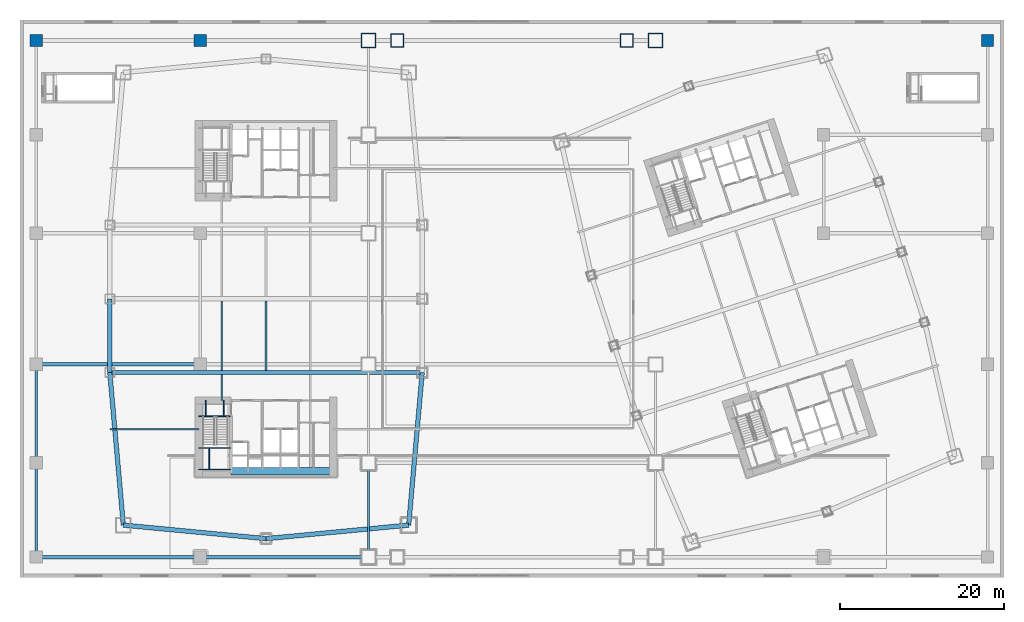
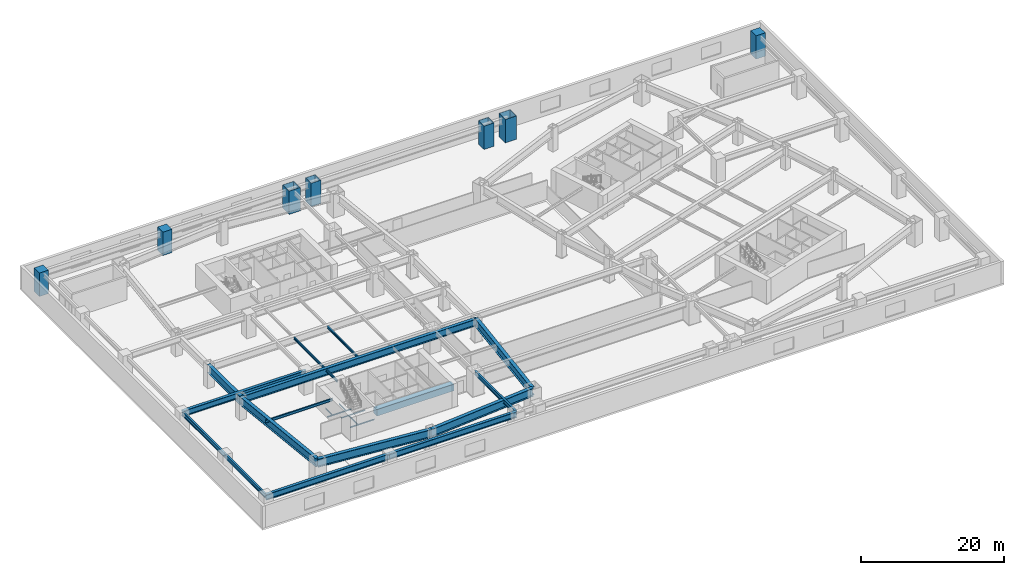
# One storey, part 3 of 25: 23 beams, 7 columns.
"""IFC4 building model written with IfcOpenShell, lengths in metres."""

from ifc_helpers import new_model, si_unit, direction, frame, origin, origin_2d, place, context, subcontext, project, spatial, rectangle, hollow_rectangle, i_section, extrude, material, material_profile, profile_set, type_object, element, save


model = new_model("IFC4")

# Units and contexts
model_context = context("Model", 3, precision=1e-05, world=origin(), true_north=direction((0.0, 1.0)))
body_context = subcontext(model_context, "Body", "Model", "MODEL_VIEW")
ifc_project = project(units=[si_unit("LENGTHUNIT", "METRE"), si_unit("AREAUNIT", "SQUARE_METRE"), si_unit("VOLUMEUNIT", "CUBIC_METRE"), si_unit("PLANEANGLEUNIT", "RADIAN"), si_unit("MASSUNIT", "GRAM", prefix="KILO")], contexts=[model_context])

# Site, building, storey
site_placement = place(None, origin())
site = spatial("IfcSite", under=ifc_project, at=site_placement, CompositionType="ELEMENT")
building_placement = place(site_placement, origin())
building = spatial("IfcBuilding", under=site, at=building_placement, Name="Qiaolan Cultural Towers", CompositionType="ELEMENT")
storey_placement = place(building_placement, frame((0.0, 0.0, 22.0)))
storey = spatial("IfcBuildingStorey", under=building, at=storey_placement, Name="L04", CompositionType="ELEMENT", Elevation=22.0)

# Columns
ifc_material_1 = material(Name="Steel Q420GJB", Category="steel")
ifc_material_profile_1 = material_profile(ifc_material_1, hollow_rectangle(XDim=1.60009765625, YDim=1.60009765625, WallThickness=0.054931640625, at=origin_2d()), Name="BOX1600x1600x55")
ifc_profile_set_1 = profile_set([ifc_material_profile_1], Name="Steel Q420GJB")
column_type_1 = type_object("IfcColumnType", Name="COL-BOX1600x1600x55", PredefinedType="COLUMN", material=ifc_profile_set_1)
for number, where, z_axis, x_axis, name in (
    (1, (46.0, 65.5, 0.0), (0.0, 0.0, 1.0), (1.0, 0.0, 0.0), "L04 Podium Column PC-MID-46-65"),
    (2, (74.0, 65.5, 0.0), (0.0, 0.0, 1.0), (1.0, 0.0, 0.0), "L04 Podium Column PC-MID-74-65"),
):
    element("IfcColumn", number, at=place(storey_placement, frame(where, z_axis=z_axis, x_axis=x_axis)), inside=storey, type_object=column_type_1, Name=name, PredefinedType="COLUMN", context=body_context, shape_type="SweptSolid", body=[
        extrude(hollow_rectangle(XDim=1.60009765625, YDim=1.60009765625, WallThickness=0.054931640625, at=origin_2d()), origin(), (0.0, 0.0, 1.0), 4.0009765625),
    ])
ifc_material_2 = material(Name="Steel Q420GJB", Category="steel")
ifc_material_profile_2 = material_profile(ifc_material_2, hollow_rectangle(XDim=1.800048828125, YDim=1.800048828125, WallThickness=0.06005859375, at=origin_2d()), Name="BOX1800x1800x60")
ifc_profile_set_2 = profile_set([ifc_material_profile_2], Name="Steel Q420GJB")
column_type_2 = type_object("IfcColumnType", Name="COL-BOX1800x1800x60", PredefinedType="COLUMN", material=ifc_profile_set_2)
for number, where, z_axis, x_axis, name in (
    (3, (42.5, 65.5, 0.0), (0.0, 0.0, 1.0), (1.0, 0.0, 0.0), "L04 Podium Column PC-42-65"),
    (4, (77.5, 65.5, 0.0), (0.0, 0.0, 1.0), (1.0, 0.0, 0.0), "L04 Podium Column PC-77-65"),
):
    element("IfcColumn", number, at=place(storey_placement, frame(where, z_axis=z_axis, x_axis=x_axis)), inside=storey, type_object=column_type_2, Name=name, PredefinedType="COLUMN", context=body_context, shape_type="SweptSolid", body=[
        extrude(hollow_rectangle(XDim=1.800048828125, YDim=1.800048828125, WallThickness=0.06005859375, at=origin_2d()), origin(), (0.0, 0.0, 1.0), 4.0009765625),
    ])
ifc_material_3 = material(Name="Concrete C60", Category="concrete")
ifc_material_profile_3 = material_profile(ifc_material_3, rectangle(XDim=1.5, YDim=1.5, at=origin_2d()), Name="RC1500x1500")
ifc_profile_set_3 = profile_set([ifc_material_profile_3], Name="Concrete C60")
column_type_3 = type_object("IfcColumnType", Name="COL-RC1500x1500", PredefinedType="COLUMN", material=ifc_profile_set_3)
for number, where, z_axis, x_axis, name in (
    (5, (2.0, 65.5, 0.0), (0.0, 0.0, 1.0), (1.0, 0.0, 0.0), "L04 Podium Column PC-2-65"),
    (6, (22.0, 65.5, 0.0), (0.0, 0.0, 1.0), (1.0, 0.0, 0.0), "L04 Podium Column PC-22-65"),
    (7, (118.0, 65.5, 0.0), (0.0, 0.0, 1.0), (1.0, 0.0, 0.0), "L04 Podium Column PC-118-65"),
):
    element("IfcColumn", number, at=place(storey_placement, frame(where, z_axis=z_axis, x_axis=x_axis)), inside=storey, type_object=column_type_3, Name=name, PredefinedType="COLUMN", context=body_context, shape_type="SweptSolid", body=[
        extrude(rectangle(XDim=1.5, YDim=1.5, at=origin_2d()), origin(), (0.0, 0.0, 1.0), 4.0009765625),
    ])

# Beams
ifc_material_4 = material(Name="Steel Q390GJB", Category="steel")
ifc_material_profile_4 = material_profile(ifc_material_4, i_section(OverallWidth=0.449951171875, OverallDepth=1.0, WebThickness=0.02392578125, FlangeThickness=0.0400390625, at=origin_2d()), Name="BH1000x450x24x40")
ifc_profile_set_4 = profile_set([ifc_material_profile_4], Name="Steel Q390GJB")
beam_type_1 = type_object("IfcBeamType", Name="BM-BH1000x450x24x40", PredefinedType="BEAM", material=ifc_profile_set_4)
beam_1_placement = place(storey_placement, frame((2.0, 2.5, 3.25), z_axis=(1.0, 0.0, 0.0), x_axis=(0.0, 1.0, 0.0)))
element("IfcBeam", 8, at=beam_1_placement, inside=storey, type_object=beam_type_1, Name="L04 Podium Primary Girder Y=2.5", PredefinedType="BEAM", context=body_context, shape_type="SweptSolid", body=[
    extrude(i_section(OverallWidth=0.449951171875, OverallDepth=1.0, WebThickness=0.02392578125, FlangeThickness=0.0400390625, at=origin_2d()), origin(), (0.0, 0.0, 1.0), 20.0),
])
beam_2_placement = place(storey_placement, frame((22.0, 2.5, 3.25), z_axis=(1.0, 0.0, 0.0), x_axis=(0.0, 1.0, 0.0)))
element("IfcBeam", 9, at=beam_2_placement, inside=storey, type_object=beam_type_1, Name="L04 Podium Primary Girder Y=2.5", PredefinedType="BEAM", context=body_context, shape_type="SweptSolid", body=[
    extrude(i_section(OverallWidth=0.449951171875, OverallDepth=1.0, WebThickness=0.02392578125, FlangeThickness=0.0400390625, at=origin_2d()), origin(), (0.0, 0.0, 1.0), 20.5),
])
beam_3_placement = place(storey_placement, frame((2.0, 26.0, 3.25), z_axis=(1.0, 0.0, 0.0), x_axis=(0.0, 1.0, 0.0)))
element("IfcBeam", 10, at=beam_3_placement, inside=storey, type_object=beam_type_1, Name="L04 Podium Primary Girder Y=26.0", PredefinedType="BEAM", context=body_context, shape_type="SweptSolid", body=[
    extrude(i_section(OverallWidth=0.449951171875, OverallDepth=1.0, WebThickness=0.02392578125, FlangeThickness=0.0400390625, at=origin_2d()), origin(), (0.0, 0.0, 1.0), 20.0),
])
ifc_material_5 = material(Name="Steel Q390GJB", Category="steel")
ifc_material_profile_5 = material_profile(ifc_material_5, i_section(OverallWidth=0.5, OverallDepth=1.199951171875, WebThickness=0.028076171875, FlangeThickness=0.044921875, at=origin_2d()), Name="BH1200x500x28x45")
ifc_profile_set_5 = profile_set([ifc_material_profile_5], Name="Steel Q390GJB")
beam_type_2 = type_object("IfcBeamType", Name="BM-BH1200x500x28x45", PredefinedType="BEAM", material=ifc_profile_set_5)
beam_4_placement = place(storey_placement, frame((10.949951171875, 25.0, 3.139892578125), z_axis=(1.0, 0.0, 0.0), x_axis=(0.0, 1.0, 0.0)))
element("IfcBeam", 11, at=beam_4_placement, inside=storey, type_object=beam_type_2, Name="L04 T1 Primary Transverse Girder V1", PredefinedType="BEAM", context=body_context, shape_type="SweptSolid", body=[
    extrude(i_section(OverallWidth=0.5, OverallDepth=1.199951171875, WebThickness=0.028076171875, FlangeThickness=0.044921875, at=origin_2d()), origin(), (0.0, 0.0, 1.0), 38.10009765625),
])
ifc_material_6 = material(Name="Steel Q420GJB", Category="steel")
ifc_material_profile_6 = material_profile(ifc_material_6, i_section(OverallWidth=0.550048828125, OverallDepth=1.39990234375, WebThickness=0.031982421875, FlangeThickness=0.050048828125, at=origin_2d()), Name="BH1400x550x32x50")
ifc_profile_set_6 = profile_set([ifc_material_profile_6], Name="Steel Q420GJB")
beam_type_3 = type_object("IfcBeamType", Name="BM-BH1400x550x32x50", PredefinedType="BEAM", material=ifc_profile_set_6)
for number, where, z_axis, x_axis, name in (
    (12, (12.60009765625, 6.39990234375, 3.0400390625), (0.995534437156, -0.094399070104, 0.0), (0.094399070104, 0.995534437156, 0.0), "L04 T1 Perimeter Spandrel Beam 1"),
    (13, (30.0, 4.75, 3.0400390625), (0.995534437156, 0.094399070104, 0.0), (-0.094399070104, 0.995534437156, 0.0), "L04 T1 Perimeter Spandrel Beam 2"),
):
    element("IfcBeam", number, at=place(storey_placement, frame(where, z_axis=z_axis, x_axis=x_axis)), inside=storey, type_object=beam_type_3, Name=name, PredefinedType="BEAM", context=body_context, shape_type="SweptSolid", body=[
        extrude(i_section(OverallWidth=0.550048828125, OverallDepth=1.39990234375, WebThickness=0.031982421875, FlangeThickness=0.050048828125, at=origin_2d()), origin(), (0.0, 0.0, 1.0), 17.47802734375),
    ])
beam_5_placement = place(storey_placement, frame((47.39990234375, 6.39990234375, 3.0400390625), z_axis=(0.08837000091, 0.996087718496, 0.0), x_axis=(-0.996087718496, 0.08837000091, 0.0)))
element("IfcBeam", 14, at=beam_5_placement, inside=storey, type_object=beam_type_3, Name="L04 T1 Perimeter Spandrel Beam 3", PredefinedType="BEAM", context=body_context, shape_type="SweptSolid", body=[
    extrude(i_section(OverallWidth=0.550048828125, OverallDepth=1.39990234375, WebThickness=0.031982421875, FlangeThickness=0.050048828125, at=origin_2d()), origin(), (0.0, 0.0, 1.0), 18.673095703125),
])
beam_6_placement = place(storey_placement, frame((10.949951171875, 34.0, 3.0400390625), z_axis=(0.0, -1.0, 0.0), x_axis=(1.0, 0.0, 0.0)))
element("IfcBeam", 15, at=beam_6_placement, inside=storey, type_object=beam_type_3, Name="L04 T1 Perimeter Spandrel Beam 11", PredefinedType="BEAM", context=body_context, shape_type="SweptSolid", body=[
    extrude(i_section(OverallWidth=0.550048828125, OverallDepth=1.39990234375, WebThickness=0.031982421875, FlangeThickness=0.050048828125, at=origin_2d()), origin(), (0.0, 0.0, 1.0), 9.0),
])
beam_7_placement = place(storey_placement, frame((10.949951171875, 25.0, 3.0400390625), z_axis=(0.08837000091, -0.996087718496, 0.0), x_axis=(0.996087718496, 0.08837000091, 0.0)))
element("IfcBeam", 16, at=beam_7_placement, inside=storey, type_object=beam_type_3, Name="L04 T1 Perimeter Spandrel Beam 12", PredefinedType="BEAM", context=body_context, shape_type="SweptSolid", body=[
    extrude(i_section(OverallWidth=0.550048828125, OverallDepth=1.39990234375, WebThickness=0.031982421875, FlangeThickness=0.050048828125, at=origin_2d()), origin(), (0.0, 0.0, 1.0), 18.673095703125),
])
ifc_material_7 = material(Name="Steel Q355B", Category="steel")
ifc_material_profile_7 = material_profile(ifc_material_7, i_section(OverallWidth=0.300048828125, OverallDepth=0.699951171875, WebThickness=0.012939453125, FlangeThickness=0.02392578125, at=origin_2d()), Name="HN700x300x13x24")
ifc_profile_set_7 = profile_set([ifc_material_profile_7], Name="Steel Q355B")
beam_type_4 = type_object("IfcBeamType", Name="BM-HN700x300x13x24", PredefinedType="BEAM", material=ifc_profile_set_7)
beam_8_placement = place(storey_placement, frame((2.0, 2.5, 3.39990234375), z_axis=(0.0, 1.0, 0.0), x_axis=(-1.0, 0.0, 0.0)))
element("IfcBeam", 17, at=beam_8_placement, inside=storey, type_object=beam_type_4, Name="L04 Podium Transverse Beam X=2.0", PredefinedType="BEAM", context=body_context, shape_type="SweptSolid", body=[
    extrude(i_section(OverallWidth=0.300048828125, OverallDepth=0.699951171875, WebThickness=0.012939453125, FlangeThickness=0.02392578125, at=origin_2d()), origin(), (0.0, 0.0, 1.0), 11.5),
])
beam_9_placement = place(storey_placement, frame((2.0, 14.0, 3.39990234375), z_axis=(0.0, 1.0, 0.0), x_axis=(-1.0, 0.0, 0.0)))
element("IfcBeam", 18, at=beam_9_placement, inside=storey, type_object=beam_type_4, Name="L04 Podium Transverse Beam X=2.0", PredefinedType="BEAM", context=body_context, shape_type="SweptSolid", body=[
    extrude(i_section(OverallWidth=0.300048828125, OverallDepth=0.699951171875, WebThickness=0.012939453125, FlangeThickness=0.02392578125, at=origin_2d()), origin(), (0.0, 0.0, 1.0), 12.0),
])
beam_10_placement = place(storey_placement, frame((42.5, 2.5, 3.39990234375), z_axis=(0.0, 1.0, 0.0), x_axis=(-1.0, 0.0, 0.0)))
element("IfcBeam", 19, at=beam_10_placement, inside=storey, type_object=beam_type_4, Name="L04 Podium Transverse Beam X=42.5", PredefinedType="BEAM", context=body_context, shape_type="SweptSolid", body=[
    extrude(i_section(OverallWidth=0.300048828125, OverallDepth=0.699951171875, WebThickness=0.012939453125, FlangeThickness=0.02392578125, at=origin_2d()), origin(), (0.0, 0.0, 1.0), 11.5),
])
ifc_material_8 = material(Name="Steel Q355B", Category="steel")
ifc_material_profile_8 = material_profile(ifc_material_8, i_section(OverallWidth=0.199951171875, OverallDepth=0.39990234375, WebThickness=0.008056640625, FlangeThickness=0.012939453125, at=origin_2d()), Name="HN400x200x8x13")
ifc_profile_set_8 = profile_set([ifc_material_profile_8], Name="Steel Q355B")
beam_type_5 = type_object("IfcBeamType", Name="BM-JST-HN400x200x8x13", PredefinedType="JOIST", material=ifc_profile_set_8)
beam_11_placement = place(storey_placement, frame((24.60009765625, 21.60009765625, 3.5400390625), z_axis=(0.0, 1.0, 0.0), x_axis=(-1.0, 0.0, 0.0)))
element("IfcBeam", 20, at=beam_11_placement, inside=storey, type_object=beam_type_5, Name="L04 T1 Secondary Floor Joist U1-1", PredefinedType="JOIST", context=body_context, shape_type="SweptSolid", body=[
    extrude(i_section(OverallWidth=0.199951171875, OverallDepth=0.39990234375, WebThickness=0.008056640625, FlangeThickness=0.012939453125, at=origin_2d()), origin(), (0.0, 0.0, 1.0), 3.14990234375),
])
for number, where, z_axis, x_axis, name in (
    (21, (24.60009765625, 25.25, 3.5400390625), (0.0, 1.0, 0.0), (-1.0, 0.0, 0.0), "L04 T1 Secondary Floor Joist U1-2"),
    (22, (30.0, 25.25, 3.5400390625), (0.0, 1.0, 0.0), (-1.0, 0.0, 0.0), "L04 T1 Secondary Floor Joist U2-2"),
):
    element("IfcBeam", number, at=place(storey_placement, frame(where, z_axis=z_axis, x_axis=x_axis)), inside=storey, type_object=beam_type_5, Name=name, PredefinedType="JOIST", context=body_context, shape_type="SweptSolid", body=[
        extrude(i_section(OverallWidth=0.199951171875, OverallDepth=0.39990234375, WebThickness=0.008056640625, FlangeThickness=0.012939453125, at=origin_2d()), origin(), (0.0, 0.0, 1.0), 8.5),
    ])
ifc_material_9 = material(Name="Steel Q355B", Category="steel")
ifc_material_profile_9 = material_profile(ifc_material_9, i_section(OverallWidth=0.199951171875, OverallDepth=0.449951171875, WebThickness=0.009033203125, FlangeThickness=0.013916015625, at=origin_2d()), Name="HN450x200x9x14")
ifc_profile_set_9 = profile_set([ifc_material_profile_9], Name="Steel Q355B")
beam_type_6 = type_object("IfcBeamType", Name="BM-LNT-HN450x200x9x14", PredefinedType="LINTEL", material=ifc_profile_set_9)
beam_12_placement = place(storey_placement, frame((21.800048828125, 18.10009765625, 3.514892578125), z_axis=(-1.0, 0.0, 0.0), x_axis=(0.0, -1.0, 0.0)))
element("IfcBeam", 23, at=beam_12_placement, inside=storey, type_object=beam_type_6, Name="L04 T1 Core Flank Tie Lintel WS", PredefinedType="LINTEL", context=body_context, shape_type="SweptSolid", body=[
    extrude(i_section(OverallWidth=0.199951171875, OverallDepth=0.449951171875, WebThickness=0.009033203125, FlangeThickness=0.013916015625, at=origin_2d()), origin(), (0.0, 0.0, 1.0), 10.85009765625),
])
ifc_material_10 = material(Name="Concrete C50", Category="concrete")
ifc_material_profile_10 = material_profile(ifc_material_10, rectangle(XDim=0.89990234375, YDim=1.10009765625, at=origin_2d()), Name="RC900x1100")
ifc_profile_set_10 = profile_set([ifc_material_profile_10], Name="Concrete C50")
beam_type_7 = type_object("IfcBeamType", Name="BM-RC900x1100", PredefinedType="BEAM", material=ifc_profile_set_10)
beam_13_placement = place(storey_placement, frame((25.719970703125, 12.949951171875, 3.18994140625), z_axis=(1.0, 0.0, 0.0), x_axis=(0.0, 1.0, 0.0)))
element("IfcBeam", 24, at=beam_13_placement, inside=storey, type_object=beam_type_7, Name="L04 T1 Core Header Girder S", PredefinedType="BEAM", context=body_context, shape_type="SweptSolid", body=[
    extrude(rectangle(XDim=0.89990234375, YDim=1.10009765625, at=origin_2d()), origin(), (0.0, 0.0, 1.0), 12.47998046875),
])
ifc_material_11 = material(Name="Steel Q355B", Category="steel")
ifc_material_profile_11 = material_profile(ifc_material_11, i_section(OverallWidth=0.10009765625, OverallDepth=0.199951171875, WebThickness=0.005615234375, FlangeThickness=0.008056640625, at=origin_2d()), Name="HN200x100x5.5x8")
ifc_profile_set_11 = profile_set([ifc_material_profile_11], Name="Steel Q355B")
beam_type_8 = type_object("IfcBeamType", Name="BM-STTRIM-200", PredefinedType="BEAM", material=ifc_profile_set_11)
beam_14_placement = place(storey_placement, frame((21.800048828125, 19.659912109375, -0.4599609375), z_axis=(1.0, 0.0, 0.0), x_axis=(0.0, 1.0, 0.0)))
element("IfcBeam", 25, at=beam_14_placement, inside=storey, type_object=beam_type_8, Name="L04 ST-W1 Floor Landing Header Beam", PredefinedType="BEAM", context=body_context, shape_type="SweptSolid", body=[
    extrude(i_section(OverallWidth=0.10009765625, OverallDepth=0.199951171875, WebThickness=0.005615234375, FlangeThickness=0.008056640625, at=origin_2d()), origin(), (0.0, 0.0, 1.0), 3.919921875),
])
for number, where, z_axis, x_axis, name in (
    (26, (22.64990234375, 21.60009765625, -0.4599609375), (0.0, -1.0, 0.0), (1.0, 0.0, 0.0), "L04 ST-W1 Floor Landing Stringer 1"),
    (27, (24.85009765625, 21.60009765625, -0.4599609375), (0.0, -1.0, 0.0), (1.0, 0.0, 0.0), "L04 ST-W1 Floor Landing Stringer 2"),
):
    element("IfcBeam", number, at=place(storey_placement, frame(where, z_axis=z_axis, x_axis=x_axis)), inside=storey, type_object=beam_type_8, Name=name, PredefinedType="BEAM", context=body_context, shape_type="SweptSolid", body=[
        extrude(i_section(OverallWidth=0.10009765625, OverallDepth=0.199951171875, WebThickness=0.005615234375, FlangeThickness=0.008056640625, at=origin_2d()), origin(), (0.0, 0.0, 1.0), 1.940185546875),
    ])
for number, where, z_axis, x_axis, name in (
    (28, (21.800048828125, 15.811279296875, 1.699951171875), (1.0, 0.0, 0.0), (0.0, 1.0, 0.0), "L04 ST-W1 Stair Landing Support Beam 1-1"),
    (29, (21.800048828125, 13.179931640625, 1.699951171875), (1.0, 0.0, 0.0), (0.0, 1.0, 0.0), "L04 ST-W1 Stair Landing Support Beam 1-2"),
):
    element("IfcBeam", number, at=place(storey_placement, frame(where, z_axis=z_axis, x_axis=x_axis)), inside=storey, type_object=beam_type_8, Name=name, PredefinedType="BEAM", context=body_context, shape_type="SweptSolid", body=[
        extrude(i_section(OverallWidth=0.10009765625, OverallDepth=0.199951171875, WebThickness=0.005615234375, FlangeThickness=0.008056640625, at=origin_2d()), origin(), (0.0, 0.0, 1.0), 3.919921875),
    ])
beam_15_placement = place(storey_placement, frame((23.070068359375, 15.811279296875, 1.699951171875), z_axis=(0.0, -1.0, 0.0), x_axis=(1.0, 0.0, 0.0)))
element("IfcBeam", 30, at=beam_15_placement, inside=storey, type_object=beam_type_8, Name="L04 ST-W1 Stair Landing Trimmer 1", PredefinedType="BEAM", context=body_context, shape_type="SweptSolid", body=[
    extrude(i_section(OverallWidth=0.10009765625, OverallDepth=0.199951171875, WebThickness=0.005615234375, FlangeThickness=0.008056640625, at=origin_2d()), origin(), (0.0, 0.0, 1.0), 2.63134765625),
])

save(model, "model.ifc")
